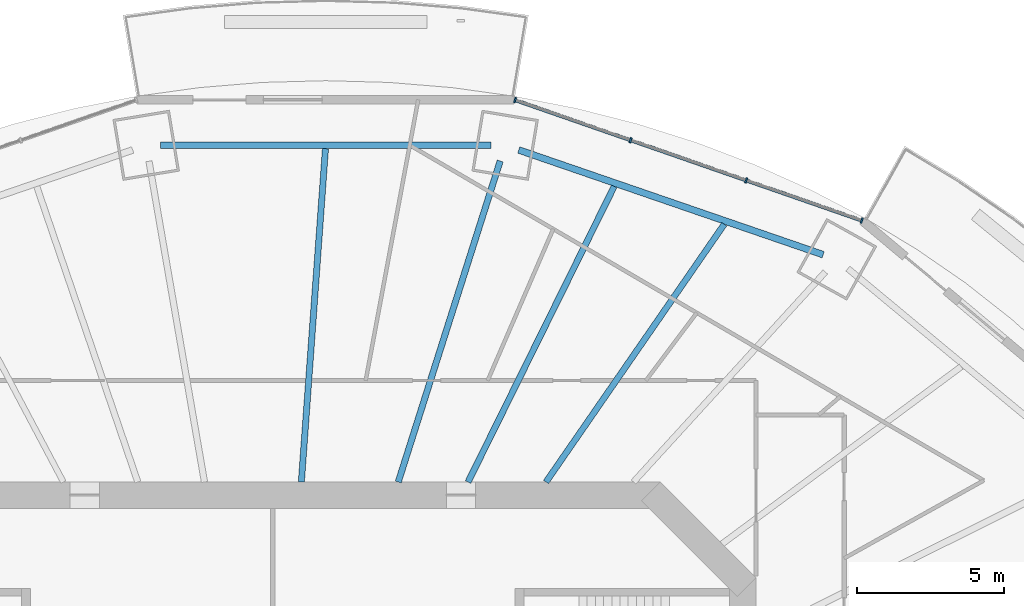
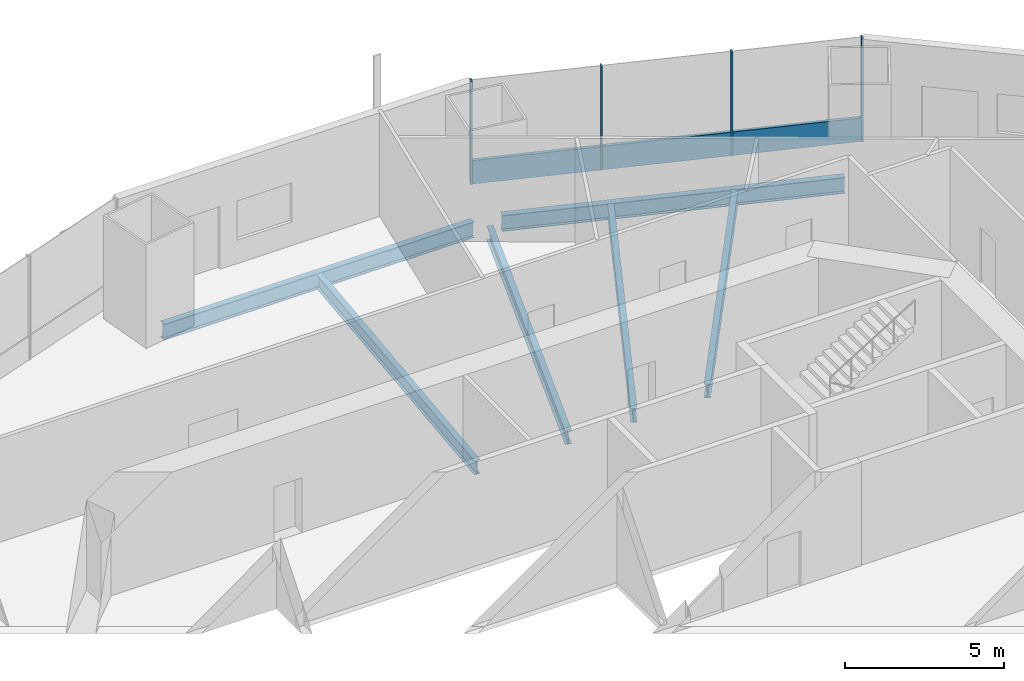
# One storey, part 9 of 21: 6 beams, 5 members, 1 element without a shape of its own.
"""IFC4 building model written with IfcOpenShell, lengths in metres."""

from ifc_helpers import new_model, si_unit, direction, frame, origin, origin_2d, place, context, subcontext, project, spatial, rectangle, i_section, extrude, material, material_profile, profile_set, type_object, element, aggregate, save


model = new_model("IFC4")

# Units and contexts
model_context = context("Model", 3, precision=1e-05, world=origin(), true_north=direction((0.0, 1.0)))
body_context = subcontext(model_context, "Body", "Model", "MODEL_VIEW")
ifc_project = project(units=[si_unit("LENGTHUNIT", "METRE"), si_unit("AREAUNIT", "SQUARE_METRE"), si_unit("VOLUMEUNIT", "CUBIC_METRE"), si_unit("PLANEANGLEUNIT", "RADIAN"), si_unit("MASSUNIT", "GRAM", prefix="KILO")], contexts=[model_context])

# Site, building, storey
site_placement = place(None, origin())
site = spatial("IfcSite", under=ifc_project, at=site_placement, CompositionType="ELEMENT")
building_placement = place(site_placement, origin())
building = spatial("IfcBuilding", under=site, at=building_placement, Name="Marenthal Gate Tower", CompositionType="ELEMENT")
storey_placement = place(building_placement, frame((0.0, 0.0, 169.35009765625)))
storey = spatial("IfcBuildingStorey", under=building, at=storey_placement, Name="L36", CompositionType="ELEMENT", Elevation=169.35009765625)

# Curtain wall, members
ifc_material_1 = material(Name="Aluminium and glass", Category="aluminium")
curtain_wall_type = type_object("IfcCurtainWallType", Name="Curtain wall typical mid", PredefinedType="NOTDEFINED", material=ifc_material_1)
curtain_wall_placement = place(storey_placement, origin())
curtain_wall = element("IfcCurtainWall", 1, at=curtain_wall_placement, inside=storey, type_object=curtain_wall_type, Name="Curtain wall L36 bay 3", PredefinedType="NOTDEFINED")
ifc_material_2 = material(Name="Aluminium", Category="aluminium")
ifc_material_profile_1 = material_profile(ifc_material_2, rectangle(XDim=0.179931640625, YDim=0.06005859375, at=origin_2d()), Name="60x180 aluminium mullion")
ifc_profile_set_1 = profile_set([ifc_material_profile_1], Name="Aluminium")
member_type_1 = type_object("IfcMemberType", Name="Mullion 60x180 typical mid", PredefinedType="MULLION", material=ifc_profile_set_1)
member_1_placement = place(storey_placement, frame((20.04931640625, 22.351806640625, 0.0), z_axis=(0.0, 0.0, 1.0), x_axis=(-0.328157600538, -0.944622987868, 0.0)))
member_1 = element("IfcMember", 2, at=member_1_placement, type_object=member_type_1, Name="Mullion L36 bay 3.1", PredefinedType="MULLION", context=body_context, shape_type="SweptSolid", body=[
    extrude(rectangle(XDim=0.179931640625, YDim=0.06005859375, at=origin_2d()), origin(), (0.0, 0.0, 1.0), 3.969970703125),
])
member_2_placement = place(storey_placement, frame((16.114990234375, 23.718505859375, 0.0), z_axis=(0.0, 0.0, 1.0), x_axis=(-0.328157600538, -0.944622987868, 0.0)))
member_2 = element("IfcMember", 3, at=member_2_placement, type_object=member_type_1, Name="Mullion L36 bay 3.2", PredefinedType="MULLION", context=body_context, shape_type="SweptSolid", body=[
    extrude(rectangle(XDim=0.179931640625, YDim=0.06005859375, at=origin_2d()), origin(), (0.0, 0.0, 1.0), 3.969970703125),
])
member_3_placement = place(storey_placement, frame((12.180908203125, 25.085205078125, 0.0), z_axis=(0.0, 0.0, 1.0), x_axis=(-0.328157600538, -0.944622987868, 0.0)))
member_3 = element("IfcMember", 4, at=member_3_placement, type_object=member_type_1, Name="Mullion L36 bay 3.3", PredefinedType="MULLION", context=body_context, shape_type="SweptSolid", body=[
    extrude(rectangle(XDim=0.179931640625, YDim=0.06005859375, at=origin_2d()), origin(), (0.0, 0.0, 1.0), 3.969970703125),
])
member_4_placement = place(storey_placement, frame((8.24658203125, 26.451904296875, 0.0), z_axis=(0.0, 0.0, 1.0), x_axis=(-0.328157600538, -0.944622987868, 0.0)))
member_4 = element("IfcMember", 5, at=member_4_placement, type_object=member_type_1, Name="Mullion L36 bay 3.4", PredefinedType="MULLION", context=body_context, shape_type="SweptSolid", body=[
    extrude(rectangle(XDim=0.179931640625, YDim=0.06005859375, at=origin_2d()), origin(), (0.0, 0.0, 1.0), 3.969970703125),
])
ifc_material_3 = material(Name="Aluminium", Category="aluminium")
ifc_material_profile_2 = material_profile(ifc_material_3, rectangle(XDim=0.1201171875, YDim=0.89990234375, at=origin_2d()), Name="120x900 aluminium transom")
ifc_profile_set_2 = profile_set([ifc_material_profile_2], Name="Aluminium")
member_type_2 = type_object("IfcMemberType", Name="Transom 120x900 typical mid", PredefinedType="USERDEFINED", material=ifc_profile_set_2)
member_5_placement = place(storey_placement, frame((20.02099609375, 22.361572265625, 0.449951171875), z_axis=(-0.944622278222, 0.328159643295, 0.0), x_axis=(-0.328159643295, -0.944622278222, 0.0)))
member_5 = element("IfcMember", 6, at=member_5_placement, type_object=member_type_2, Name="Transom L36 bay 3", ObjectType="TRANSOM", PredefinedType="USERDEFINED", context=body_context, shape_type="SweptSolid", body=[
    extrude(rectangle(XDim=0.1201171875, YDim=0.89990234375, at=origin_2d()), origin(), (0.0, 0.0, 1.0), 12.434814453125),
])
aggregate(curtain_wall, [member_1, member_2, member_3, member_4, member_5])

# Beams
ifc_material_4 = material(Name="Steel S355", Category="steel")
ifc_material_profile_3 = material_profile(ifc_material_4, i_section(OverallWidth=0.2099609375, OverallDepth=0.535888671875, WebThickness=0.010986328125, FlangeThickness=0.017333984375, FilletRadius=0.0126953125, at=origin_2d()), Name="W530X101")
ifc_profile_set_3 = profile_set([ifc_material_profile_3], Name="Steel S355")
beam_type_1 = type_object("IfcBeamType", Name="W530X101 beam", PredefinedType="BEAM", material=ifc_profile_set_3)
beam_1_placement = place(storey_placement, frame((15.368896484375, 22.22509765625, -0.447998046875), z_axis=(-0.568767239586, -0.822498527156, 0.0), x_axis=(0.822498527156, -0.568767239586, 0.0)))
element("IfcBeam", 7, at=beam_1_placement, inside=storey, type_object=beam_type_1, Name="BM-L36-20", PredefinedType="BEAM", context=body_context, shape_type="SweptSolid", body=[
    extrude(i_section(OverallWidth=0.2099609375, OverallDepth=0.535888671875, WebThickness=0.010986328125, FlangeThickness=0.017333984375, FilletRadius=0.0126953125, at=origin_2d()), origin(), (0.0, 0.0, 1.0), 10.6689453125),
])
beam_2_placement = place(storey_placement, frame((11.622314453125, 23.51416015625, -0.447998046875), z_axis=(-0.44309433849, -0.896474989722, 0.0), x_axis=(0.896474989722, -0.44309433849, 0.0)))
element("IfcBeam", 8, at=beam_2_placement, inside=storey, type_object=beam_type_1, Name="BM-L36-21", PredefinedType="BEAM", context=body_context, shape_type="SweptSolid", body=[
    extrude(i_section(OverallWidth=0.2099609375, OverallDepth=0.535888671875, WebThickness=0.010986328125, FlangeThickness=0.017333984375, FilletRadius=0.0126953125, at=origin_2d()), origin(), (0.0, 0.0, 1.0), 11.226318359375),
])
beam_3_placement = place(storey_placement, frame((1.791748046875, 24.797607421875, -0.447998046875), z_axis=(-0.072079665045, -0.997398878026, 0.0), x_axis=(0.997398878026, -0.072079665045, 0.0)))
element("IfcBeam", 9, at=beam_3_placement, inside=storey, type_object=beam_type_1, Name="BM-L36-22", PredefinedType="BEAM", context=body_context, shape_type="SweptSolid", body=[
    extrude(i_section(OverallWidth=0.2099609375, OverallDepth=0.535888671875, WebThickness=0.010986328125, FlangeThickness=0.017333984375, FilletRadius=0.0126953125, at=origin_2d()), origin(), (0.0, 0.0, 1.0), 11.377197265625),
])
ifc_material_5 = material(Name="Steel S355", Category="steel")
ifc_material_profile_4 = material_profile(ifc_material_5, i_section(OverallWidth=0.2119140625, OverallDepth=0.5439453125, WebThickness=0.01318359375, FlangeThickness=0.021240234375, FilletRadius=0.0126953125, at=origin_2d()), Name="W530X123")
ifc_profile_set_4 = profile_set([ifc_material_profile_4], Name="Steel S355")
beam_type_2 = type_object("IfcBeamType", Name="W530X123 beam", PredefinedType="BEAM", material=ifc_profile_set_4)
beam_4_placement = place(storey_placement, frame((7.740234375, 24.377685546875, -0.4521484375), z_axis=(-0.302627032057, -0.953109059588, 0.0), x_axis=(0.953109059588, -0.302627032057, 0.0)))
element("IfcBeam", 10, at=beam_4_placement, inside=storey, type_object=beam_type_2, Name="BM-L36-04", PredefinedType="BEAM", context=body_context, shape_type="SweptSolid", body=[
    extrude(i_section(OverallWidth=0.2119140625, OverallDepth=0.5439453125, WebThickness=0.01318359375, FlangeThickness=0.021240234375, FilletRadius=0.0126953125, at=origin_2d()), origin(), (0.0, 0.0, 1.0), 11.46533203125),
])
ifc_material_6 = material(Name="Steel S355", Category="steel")
ifc_material_profile_5 = material_profile(ifc_material_6, i_section(OverallWidth=0.22900390625, OverallDepth=0.612060546875, WebThickness=0.011962890625, FlangeThickness=0.01953125, FilletRadius=0.0126953125, at=origin_2d()), Name="W610X125")
ifc_profile_set_5 = profile_set([ifc_material_profile_5], Name="Steel S355")
beam_type_3 = type_object("IfcBeamType", Name="W610X125 beam", PredefinedType="BEAM", material=ifc_profile_set_5)
beam_5_placement = place(storey_placement, frame((18.736328125, 21.1875, -0.486083984375), z_axis=(-0.945601181961, 0.32532814922, 0.0), x_axis=(-0.32532814922, -0.945601181961, 0.0)))
element("IfcBeam", 11, at=beam_5_placement, inside=storey, type_object=beam_type_3, Name="BM-L36-43", PredefinedType="BEAM", context=body_context, shape_type="SweptSolid", body=[
    extrude(i_section(OverallWidth=0.22900390625, OverallDepth=0.612060546875, WebThickness=0.011962890625, FlangeThickness=0.01953125, FilletRadius=0.0126953125, at=origin_2d()), origin(), (0.0, 0.0, 1.0), 10.960205078125),
])
beam_6_placement = place(storey_placement, frame((7.421875, 24.912109375, -0.486083984375), z_axis=(-1.0, 0.0, 0.0), x_axis=(0.0, -1.0, 0.0)))
element("IfcBeam", 12, at=beam_6_placement, inside=storey, type_object=beam_type_3, Name="BM-L36-44", PredefinedType="BEAM", context=body_context, shape_type="SweptSolid", body=[
    extrude(i_section(OverallWidth=0.22900390625, OverallDepth=0.612060546875, WebThickness=0.011962890625, FlangeThickness=0.01953125, FilletRadius=0.0126953125, at=origin_2d()), origin(), (0.0, 0.0, 1.0), 11.24365234375),
])

save(model, "model.ifc")
